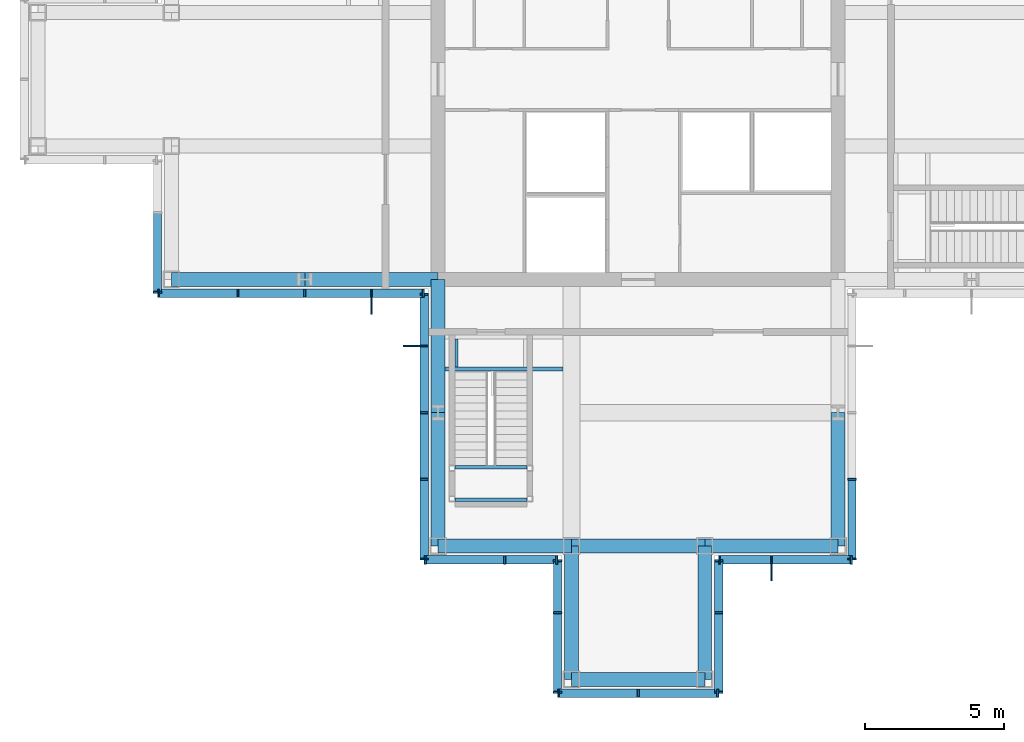
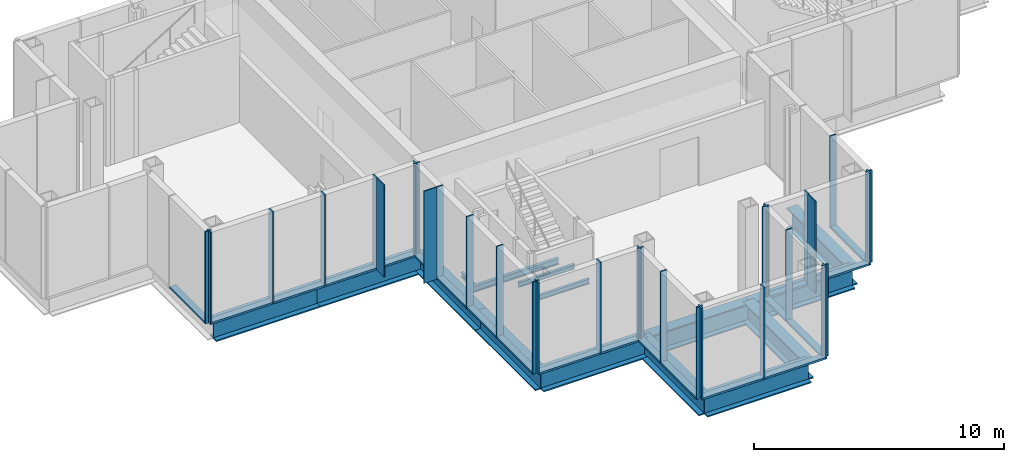
# One storey, part 5 of 12: 51 members, 15 beams, 9 elements without a shape of their own.
"""IFC4 building model written with IfcOpenShell, lengths in metres."""

from ifc_helpers import new_model, si_unit, direction, frame, origin, origin_2d, place, context, subcontext, project, spatial, rectangle, i_section, extrude, material, material_profile, profile_set, type_object, element, aggregate, save


model = new_model("IFC4")

# Units and contexts
model_context = context("Model", 3, precision=1e-05, world=origin(), true_north=direction((0.0, 1.0)))
body_context = subcontext(model_context, "Body", "Model", "MODEL_VIEW")
ifc_project = project(units=[si_unit("LENGTHUNIT", "METRE"), si_unit("AREAUNIT", "SQUARE_METRE"), si_unit("VOLUMEUNIT", "CUBIC_METRE"), si_unit("PLANEANGLEUNIT", "RADIAN"), si_unit("MASSUNIT", "GRAM", prefix="KILO")], contexts=[model_context])

# Site, building, storey
site_placement = place(None, origin())
site = spatial("IfcSite", under=ifc_project, at=site_placement, CompositionType="ELEMENT")
building_placement = place(site_placement, origin())
building = spatial("IfcBuilding", under=site, at=building_placement, Name="Kvirike Care Tower", CompositionType="ELEMENT")
storey_placement = place(building_placement, frame((0.0, 0.0, 243.5)))
storey = spatial("IfcBuildingStorey", under=building, at=storey_placement, Name="L67", CompositionType="ELEMENT", Elevation=243.5)

# Curtain wall, member
ifc_material_1 = material(Name="Anodised aluminium stick system", Category="aluminium")
curtain_wall_type = type_object("IfcCurtainWallType", Name="CW-L LOUVRED PLANT SCREEN", PredefinedType="NOTDEFINED", material=ifc_material_1)
curtain_wall_1_placement = place(storey_placement, origin())
curtain_wall_1 = element("IfcCurtainWall", 1, at=curtain_wall_1_placement, inside=storey, type_object=curtain_wall_type, Name="Curtain wall L67 face 13", PredefinedType="NOTDEFINED")
ifc_material_2 = material(Name="Bronze anodised aluminium fin", Category="aluminium")
ifc_material_profile_1 = material_profile(ifc_material_2, rectangle(XDim=0.050048828125, YDim=0.60009765625, at=origin_2d()), Name="BRONZE FIN 600")
ifc_profile_set_1 = profile_set([ifc_material_profile_1], Name="Bronze anodised aluminium fin")
member_type_1 = type_object("IfcMemberType", Name="BRONZE FIN 600", PredefinedType="USERDEFINED", material=ifc_profile_set_1)
member_1_placement = place(storey_placement, frame((12.0, 27.85009765625, 0.0), z_axis=(0.0, 0.0, 1.0), x_axis=(1.0, 0.0, 0.0)))
member_1 = element("IfcMember", 2, at=member_1_placement, type_object=member_type_1, Name="Bronze fin L67 face 13.4", ObjectType="FIN", PredefinedType="USERDEFINED", context=body_context, shape_type="SweptSolid", body=[
    extrude(rectangle(XDim=0.050048828125, YDim=0.60009765625, at=origin_2d()), origin(), (0.0, 0.0, 1.0), 4.5),
])

curtain_wall_2_placement = place(storey_placement, origin())
curtain_wall_2 = element("IfcCurtainWall", 3, at=curtain_wall_2_placement, inside=storey, type_object=curtain_wall_type, Name="Curtain wall L67 face 14", PredefinedType="NOTDEFINED")
member_2_placement = place(storey_placement, frame((13.449951171875, 26.39990234375, 0.0), z_axis=(0.0, 0.0, 1.0), x_axis=(0.0, -1.0, 0.0)))
member_2 = element("IfcMember", 4, at=member_2_placement, type_object=member_type_1, Name="Bronze fin L67 face 14.2", ObjectType="FIN", PredefinedType="USERDEFINED", context=body_context, shape_type="SweptSolid", body=[
    extrude(rectangle(XDim=0.050048828125, YDim=0.60009765625, at=origin_2d()), origin(), (0.0, 0.0, 1.0), 4.5),
])

curtain_wall_3_placement = place(storey_placement, origin())
curtain_wall_3 = element("IfcCurtainWall", 5, at=curtain_wall_3_placement, inside=storey, type_object=curtain_wall_type, Name="Curtain wall L67 face 19", PredefinedType="NOTDEFINED")
member_3_placement = place(storey_placement, frame((26.39990234375, 18.25, 0.0), z_axis=(0.0, 0.0, 1.0), x_axis=(1.0, 0.0, 0.0)))
member_3 = element("IfcMember", 6, at=member_3_placement, type_object=member_type_1, Name="Bronze fin L67 face 19.2", ObjectType="FIN", PredefinedType="USERDEFINED", context=body_context, shape_type="SweptSolid", body=[
    extrude(rectangle(XDim=0.050048828125, YDim=0.60009765625, at=origin_2d()), origin(), (0.0, 0.0, 1.0), 4.5),
])

curtain_wall_4_placement = place(storey_placement, origin())
curtain_wall_4 = element("IfcCurtainWall", 7, at=curtain_wall_4_placement, inside=storey, type_object=curtain_wall_type, Name="Curtain wall L67 face 12", PredefinedType="NOTDEFINED")
ifc_material_3 = material(Name="Bronze anodised aluminium mullion", Category="aluminium")
ifc_material_profile_2 = material_profile(ifc_material_3, rectangle(XDim=0.06494140625, YDim=0.300048828125, at=origin_2d()), Name="CW-L MULLION 65x300")
ifc_profile_set_2 = profile_set([ifc_material_profile_2], Name="Bronze anodised aluminium mullion")
member_type_2 = type_object("IfcMemberType", Name="CW-L MULLION 65x300", PredefinedType="MULLION", material=ifc_profile_set_2)
member_4_placement = place(storey_placement, frame((4.300048828125, 28.33251953125, 0.0), z_axis=(0.0, 0.0, 1.0), x_axis=(0.0, -1.0, 0.0)))
member_4 = element("IfcMember", 8, at=member_4_placement, type_object=member_type_2, Name="CW-L mullion L67 face 12.3", PredefinedType="MULLION", context=body_context, shape_type="SweptSolid", body=[
    extrude(rectangle(XDim=0.06494140625, YDim=0.300048828125, at=origin_2d()), origin(), (0.0, 0.0, 1.0), 4.5),
])

# Member
member_5_placement = place(storey_placement, frame((4.33251953125, 28.300048828125, 0.0), z_axis=(0.0, 0.0, 1.0), x_axis=(1.0, 0.0, 0.0)))
member_5 = element("IfcMember", 9, at=member_5_placement, type_object=member_type_2, Name="CW-L mullion L67 face 13.1", PredefinedType="MULLION", context=body_context, shape_type="SweptSolid", body=[
    extrude(rectangle(XDim=0.06494140625, YDim=0.300048828125, at=origin_2d()), origin(), (0.0, 0.0, 1.0), 4.5),
])

member_6_placement = place(storey_placement, frame((7.199951171875, 28.300048828125, 0.0), z_axis=(0.0, 0.0, 1.0), x_axis=(1.0, 0.0, 0.0)))
member_6 = element("IfcMember", 10, at=member_6_placement, type_object=member_type_2, Name="CW-L mullion L67 face 13.2", PredefinedType="MULLION", context=body_context, shape_type="SweptSolid", body=[
    extrude(rectangle(XDim=0.06494140625, YDim=0.300048828125, at=origin_2d()), origin(), (0.0, 0.0, 1.0), 4.5),
])

member_7_placement = place(storey_placement, frame((9.60009765625, 28.300048828125, 0.0), z_axis=(0.0, 0.0, 1.0), x_axis=(1.0, 0.0, 0.0)))
member_7 = element("IfcMember", 11, at=member_7_placement, type_object=member_type_2, Name="CW-L mullion L67 face 13.3", PredefinedType="MULLION", context=body_context, shape_type="SweptSolid", body=[
    extrude(rectangle(XDim=0.06494140625, YDim=0.300048828125, at=origin_2d()), origin(), (0.0, 0.0, 1.0), 4.5),
])

member_8_placement = place(storey_placement, frame((12.0, 28.300048828125, 0.0), z_axis=(0.0, 0.0, 1.0), x_axis=(1.0, 0.0, 0.0)))
member_8 = element("IfcMember", 12, at=member_8_placement, type_object=member_type_2, Name="CW-L mullion L67 face 13.4", PredefinedType="MULLION", context=body_context, shape_type="SweptSolid", body=[
    extrude(rectangle(XDim=0.06494140625, YDim=0.300048828125, at=origin_2d()), origin(), (0.0, 0.0, 1.0), 4.5),
])

member_9_placement = place(storey_placement, frame((13.867431640625, 28.300048828125, 0.0), z_axis=(0.0, 0.0, 1.0), x_axis=(1.0, 0.0, 0.0)))
member_9 = element("IfcMember", 13, at=member_9_placement, type_object=member_type_2, Name="CW-L mullion L67 face 13.5", PredefinedType="MULLION", context=body_context, shape_type="SweptSolid", body=[
    extrude(rectangle(XDim=0.06494140625, YDim=0.300048828125, at=origin_2d()), origin(), (0.0, 0.0, 1.0), 4.5),
])

member_10_placement = place(storey_placement, frame((13.89990234375, 28.267578125, 0.0), z_axis=(0.0, 0.0, 1.0), x_axis=(0.0, -1.0, 0.0)))
member_10 = element("IfcMember", 14, at=member_10_placement, type_object=member_type_2, Name="CW-L mullion L67 face 14.1", PredefinedType="MULLION", context=body_context, shape_type="SweptSolid", body=[
    extrude(rectangle(XDim=0.06494140625, YDim=0.300048828125, at=origin_2d()), origin(), (0.0, 0.0, 1.0), 4.5),
])

member_11_placement = place(storey_placement, frame((13.89990234375, 26.39990234375, 0.0), z_axis=(0.0, 0.0, 1.0), x_axis=(0.0, -1.0, 0.0)))
member_11 = element("IfcMember", 15, at=member_11_placement, type_object=member_type_2, Name="CW-L mullion L67 face 14.2", PredefinedType="MULLION", context=body_context, shape_type="SweptSolid", body=[
    extrude(rectangle(XDim=0.06494140625, YDim=0.300048828125, at=origin_2d()), origin(), (0.0, 0.0, 1.0), 4.5),
])

member_12_placement = place(storey_placement, frame((13.89990234375, 24.0, 0.0), z_axis=(0.0, 0.0, 1.0), x_axis=(0.0, -1.0, 0.0)))
member_12 = element("IfcMember", 16, at=member_12_placement, type_object=member_type_2, Name="CW-L mullion L67 face 14.3", PredefinedType="MULLION", context=body_context, shape_type="SweptSolid", body=[
    extrude(rectangle(XDim=0.06494140625, YDim=0.300048828125, at=origin_2d()), origin(), (0.0, 0.0, 1.0), 4.5),
])

member_13_placement = place(storey_placement, frame((13.89990234375, 21.60009765625, 0.0), z_axis=(0.0, 0.0, 1.0), x_axis=(0.0, -1.0, 0.0)))
member_13 = element("IfcMember", 17, at=member_13_placement, type_object=member_type_2, Name="CW-L mullion L67 face 14.4", PredefinedType="MULLION", context=body_context, shape_type="SweptSolid", body=[
    extrude(rectangle(XDim=0.06494140625, YDim=0.300048828125, at=origin_2d()), origin(), (0.0, 0.0, 1.0), 4.5),
])

member_14_placement = place(storey_placement, frame((13.89990234375, 18.732421875, 0.0), z_axis=(0.0, 0.0, 1.0), x_axis=(0.0, -1.0, 0.0)))
member_14 = element("IfcMember", 18, at=member_14_placement, type_object=member_type_2, Name="CW-L mullion L67 face 14.5", PredefinedType="MULLION", context=body_context, shape_type="SweptSolid", body=[
    extrude(rectangle(XDim=0.06494140625, YDim=0.300048828125, at=origin_2d()), origin(), (0.0, 0.0, 1.0), 4.5),
])

# Curtain wall, members
curtain_wall_5_placement = place(storey_placement, origin())
curtain_wall_5 = element("IfcCurtainWall", 19, at=curtain_wall_5_placement, inside=storey, type_object=curtain_wall_type, Name="Curtain wall L67 face 15", PredefinedType="NOTDEFINED")
member_15_placement = place(storey_placement, frame((13.9326171875, 18.699951171875, 0.0), z_axis=(0.0, 0.0, 1.0), x_axis=(1.0, 0.0, 0.0)))
member_15 = element("IfcMember", 20, at=member_15_placement, type_object=member_type_2, Name="CW-L mullion L67 face 15.1", PredefinedType="MULLION", context=body_context, shape_type="SweptSolid", body=[
    extrude(rectangle(XDim=0.06494140625, YDim=0.300048828125, at=origin_2d()), origin(), (0.0, 0.0, 1.0), 4.5),
])
member_16_placement = place(storey_placement, frame((16.800048828125, 18.699951171875, 0.0), z_axis=(0.0, 0.0, 1.0), x_axis=(1.0, 0.0, 0.0)))
member_16 = element("IfcMember", 21, at=member_16_placement, type_object=member_type_2, Name="CW-L mullion L67 face 15.2", PredefinedType="MULLION", context=body_context, shape_type="SweptSolid", body=[
    extrude(rectangle(XDim=0.06494140625, YDim=0.300048828125, at=origin_2d()), origin(), (0.0, 0.0, 1.0), 4.5),
])
member_17_placement = place(storey_placement, frame((18.66748046875, 18.699951171875, 0.0), z_axis=(0.0, 0.0, 1.0), x_axis=(1.0, 0.0, 0.0)))
member_17 = element("IfcMember", 22, at=member_17_placement, type_object=member_type_2, Name="CW-L mullion L67 face 15.3", PredefinedType="MULLION", context=body_context, shape_type="SweptSolid", body=[
    extrude(rectangle(XDim=0.06494140625, YDim=0.300048828125, at=origin_2d()), origin(), (0.0, 0.0, 1.0), 4.5),
])

curtain_wall_6_placement = place(storey_placement, origin())
curtain_wall_6 = element("IfcCurtainWall", 23, at=curtain_wall_6_placement, inside=storey, type_object=curtain_wall_type, Name="Curtain wall L67 face 16", PredefinedType="NOTDEFINED")
member_18_placement = place(storey_placement, frame((18.699951171875, 18.66748046875, 0.0), z_axis=(0.0, 0.0, 1.0), x_axis=(0.0, -1.0, 0.0)))
member_18 = element("IfcMember", 24, at=member_18_placement, type_object=member_type_2, Name="CW-L mullion L67 face 16.1", PredefinedType="MULLION", context=body_context, shape_type="SweptSolid", body=[
    extrude(rectangle(XDim=0.06494140625, YDim=0.300048828125, at=origin_2d()), origin(), (0.0, 0.0, 1.0), 4.5),
])
member_19_placement = place(storey_placement, frame((18.699951171875, 16.800048828125, 0.0), z_axis=(0.0, 0.0, 1.0), x_axis=(0.0, -1.0, 0.0)))
member_19 = element("IfcMember", 25, at=member_19_placement, type_object=member_type_2, Name="CW-L mullion L67 face 16.2", PredefinedType="MULLION", context=body_context, shape_type="SweptSolid", body=[
    extrude(rectangle(XDim=0.06494140625, YDim=0.300048828125, at=origin_2d()), origin(), (0.0, 0.0, 1.0), 4.5),
])
member_20_placement = place(storey_placement, frame((18.699951171875, 13.9326171875, 0.0), z_axis=(0.0, 0.0, 1.0), x_axis=(0.0, -1.0, 0.0)))
member_20 = element("IfcMember", 26, at=member_20_placement, type_object=member_type_2, Name="CW-L mullion L67 face 16.3", PredefinedType="MULLION", context=body_context, shape_type="SweptSolid", body=[
    extrude(rectangle(XDim=0.06494140625, YDim=0.300048828125, at=origin_2d()), origin(), (0.0, 0.0, 1.0), 4.5),
])

curtain_wall_7_placement = place(storey_placement, origin())
curtain_wall_7 = element("IfcCurtainWall", 27, at=curtain_wall_7_placement, inside=storey, type_object=curtain_wall_type, Name="Curtain wall L67 face 17", PredefinedType="NOTDEFINED")
member_21_placement = place(storey_placement, frame((18.732421875, 13.89990234375, 0.0), z_axis=(0.0, 0.0, 1.0), x_axis=(1.0, 0.0, 0.0)))
member_21 = element("IfcMember", 28, at=member_21_placement, type_object=member_type_2, Name="CW-L mullion L67 face 17.1", PredefinedType="MULLION", context=body_context, shape_type="SweptSolid", body=[
    extrude(rectangle(XDim=0.06494140625, YDim=0.300048828125, at=origin_2d()), origin(), (0.0, 0.0, 1.0), 4.5),
])
member_22_placement = place(storey_placement, frame((21.60009765625, 13.89990234375, 0.0), z_axis=(0.0, 0.0, 1.0), x_axis=(1.0, 0.0, 0.0)))
member_22 = element("IfcMember", 29, at=member_22_placement, type_object=member_type_2, Name="CW-L mullion L67 face 17.2", PredefinedType="MULLION", context=body_context, shape_type="SweptSolid", body=[
    extrude(rectangle(XDim=0.06494140625, YDim=0.300048828125, at=origin_2d()), origin(), (0.0, 0.0, 1.0), 4.5),
])
member_23_placement = place(storey_placement, frame((24.467529296875, 13.89990234375, 0.0), z_axis=(0.0, 0.0, 1.0), x_axis=(1.0, 0.0, 0.0)))
member_23 = element("IfcMember", 30, at=member_23_placement, type_object=member_type_2, Name="CW-L mullion L67 face 17.3", PredefinedType="MULLION", context=body_context, shape_type="SweptSolid", body=[
    extrude(rectangle(XDim=0.06494140625, YDim=0.300048828125, at=origin_2d()), origin(), (0.0, 0.0, 1.0), 4.5),
])

curtain_wall_8_placement = place(storey_placement, origin())
curtain_wall_8 = element("IfcCurtainWall", 31, at=curtain_wall_8_placement, inside=storey, type_object=curtain_wall_type, Name="Curtain wall L67 face 18", PredefinedType="NOTDEFINED")
member_24_placement = place(storey_placement, frame((24.5, 13.9326171875, 0.0), z_axis=(0.0, 0.0, 1.0), x_axis=(0.0, 1.0, 0.0)))
member_24 = element("IfcMember", 32, at=member_24_placement, type_object=member_type_2, Name="CW-L mullion L67 face 18.1", PredefinedType="MULLION", context=body_context, shape_type="SweptSolid", body=[
    extrude(rectangle(XDim=0.06494140625, YDim=0.300048828125, at=origin_2d()), origin(), (0.0, 0.0, 1.0), 4.5),
])
member_25_placement = place(storey_placement, frame((24.5, 16.800048828125, 0.0), z_axis=(0.0, 0.0, 1.0), x_axis=(0.0, 1.0, 0.0)))
member_25 = element("IfcMember", 33, at=member_25_placement, type_object=member_type_2, Name="CW-L mullion L67 face 18.2", PredefinedType="MULLION", context=body_context, shape_type="SweptSolid", body=[
    extrude(rectangle(XDim=0.06494140625, YDim=0.300048828125, at=origin_2d()), origin(), (0.0, 0.0, 1.0), 4.5),
])
member_26_placement = place(storey_placement, frame((24.5, 18.66748046875, 0.0), z_axis=(0.0, 0.0, 1.0), x_axis=(0.0, 1.0, 0.0)))
member_26 = element("IfcMember", 34, at=member_26_placement, type_object=member_type_2, Name="CW-L mullion L67 face 18.3", PredefinedType="MULLION", context=body_context, shape_type="SweptSolid", body=[
    extrude(rectangle(XDim=0.06494140625, YDim=0.300048828125, at=origin_2d()), origin(), (0.0, 0.0, 1.0), 4.5),
])

# Member
member_27_placement = place(storey_placement, frame((24.532470703125, 18.699951171875, 0.0), z_axis=(0.0, 0.0, 1.0), x_axis=(1.0, 0.0, 0.0)))
member_27 = element("IfcMember", 35, at=member_27_placement, type_object=member_type_2, Name="CW-L mullion L67 face 19.1", PredefinedType="MULLION", context=body_context, shape_type="SweptSolid", body=[
    extrude(rectangle(XDim=0.06494140625, YDim=0.300048828125, at=origin_2d()), origin(), (0.0, 0.0, 1.0), 4.5),
])

member_28_placement = place(storey_placement, frame((26.39990234375, 18.699951171875, 0.0), z_axis=(0.0, 0.0, 1.0), x_axis=(1.0, 0.0, 0.0)))
member_28 = element("IfcMember", 36, at=member_28_placement, type_object=member_type_2, Name="CW-L mullion L67 face 19.2", PredefinedType="MULLION", context=body_context, shape_type="SweptSolid", body=[
    extrude(rectangle(XDim=0.06494140625, YDim=0.300048828125, at=origin_2d()), origin(), (0.0, 0.0, 1.0), 4.5),
])

member_29_placement = place(storey_placement, frame((29.267578125, 18.699951171875, 0.0), z_axis=(0.0, 0.0, 1.0), x_axis=(1.0, 0.0, 0.0)))
member_29 = element("IfcMember", 37, at=member_29_placement, type_object=member_type_2, Name="CW-L mullion L67 face 19.3", PredefinedType="MULLION", context=body_context, shape_type="SweptSolid", body=[
    extrude(rectangle(XDim=0.06494140625, YDim=0.300048828125, at=origin_2d()), origin(), (0.0, 0.0, 1.0), 4.5),
])

# Curtain wall, members
curtain_wall_9_placement = place(storey_placement, origin())
curtain_wall_9 = element("IfcCurtainWall", 38, at=curtain_wall_9_placement, inside=storey, type_object=curtain_wall_type, Name="Curtain wall L67 face 20", PredefinedType="NOTDEFINED")
member_30_placement = place(storey_placement, frame((29.300048828125, 18.732421875, 0.0), z_axis=(0.0, 0.0, 1.0), x_axis=(0.0, 1.0, 0.0)))
member_30 = element("IfcMember", 39, at=member_30_placement, type_object=member_type_2, Name="CW-L mullion L67 face 20.1", PredefinedType="MULLION", context=body_context, shape_type="SweptSolid", body=[
    extrude(rectangle(XDim=0.06494140625, YDim=0.300048828125, at=origin_2d()), origin(), (0.0, 0.0, 1.0), 4.5),
])
member_31_placement = place(storey_placement, frame((29.300048828125, 21.60009765625, 0.0), z_axis=(0.0, 0.0, 1.0), x_axis=(0.0, 1.0, 0.0)))
member_31 = element("IfcMember", 40, at=member_31_placement, type_object=member_type_2, Name="CW-L mullion L67 face 20.2", PredefinedType="MULLION", context=body_context, shape_type="SweptSolid", body=[
    extrude(rectangle(XDim=0.06494140625, YDim=0.300048828125, at=origin_2d()), origin(), (0.0, 0.0, 1.0), 4.5),
])

# Member
ifc_material_4 = material(Name="Bronze anodised aluminium transom", Category="aluminium")
ifc_material_profile_3 = material_profile(ifc_material_4, rectangle(XDim=0.300048828125, YDim=0.10009765625, at=origin_2d()), Name="CW-L TRANSOM 300x100")
ifc_profile_set_3 = profile_set([ifc_material_profile_3], Name="Bronze anodised aluminium transom")
member_type_3 = type_object("IfcMemberType", Name="CW-L TRANSOM 300x100", PredefinedType="USERDEFINED", material=ifc_profile_set_3)
member_32_placement = place(storey_placement, frame((4.300048828125, 31.16748046875, 0.050048828125), z_axis=(0.0, -1.0, 0.0), x_axis=(1.0, 0.0, 0.0)))
member_32 = element("IfcMember", 41, at=member_32_placement, type_object=member_type_3, Name="CW-L sill transom L67 face 12.2", ObjectType="TRANSOM", PredefinedType="USERDEFINED", context=body_context, shape_type="SweptSolid", body=[
    extrude(rectangle(XDim=0.300048828125, YDim=0.10009765625, at=origin_2d()), origin(), (0.0, 0.0, 1.0), 2.802490234375),
])

aggregate(curtain_wall_4, [member_4, member_32])

member_33_placement = place(storey_placement, frame((4.364990234375, 28.300048828125, 0.050048828125), z_axis=(1.0, 0.0, 0.0), x_axis=(0.0, 1.0, 0.0)))
member_33 = element("IfcMember", 42, at=member_33_placement, type_object=member_type_3, Name="CW-L sill transom L67 face 13.1", ObjectType="TRANSOM", PredefinedType="USERDEFINED", context=body_context, shape_type="SweptSolid", body=[
    extrude(rectangle(XDim=0.300048828125, YDim=0.10009765625, at=origin_2d()), origin(), (0.0, 0.0, 1.0), 2.802490234375),
])

member_34_placement = place(storey_placement, frame((7.232421875, 28.300048828125, 0.050048828125), z_axis=(1.0, 0.0, 0.0), x_axis=(0.0, 1.0, 0.0)))
member_34 = element("IfcMember", 43, at=member_34_placement, type_object=member_type_3, Name="CW-L sill transom L67 face 13.2", ObjectType="TRANSOM", PredefinedType="USERDEFINED", context=body_context, shape_type="SweptSolid", body=[
    extrude(rectangle(XDim=0.300048828125, YDim=0.10009765625, at=origin_2d()), origin(), (0.0, 0.0, 1.0), 2.3349609375),
])

member_35_placement = place(storey_placement, frame((9.632568359375, 28.300048828125, 0.050048828125), z_axis=(1.0, 0.0, 0.0), x_axis=(0.0, 1.0, 0.0)))
member_35 = element("IfcMember", 44, at=member_35_placement, type_object=member_type_3, Name="CW-L sill transom L67 face 13.3", ObjectType="TRANSOM", PredefinedType="USERDEFINED", context=body_context, shape_type="SweptSolid", body=[
    extrude(rectangle(XDim=0.300048828125, YDim=0.10009765625, at=origin_2d()), origin(), (0.0, 0.0, 1.0), 2.3349609375),
])

member_36_placement = place(storey_placement, frame((12.032470703125, 28.300048828125, 0.050048828125), z_axis=(1.0, 0.0, 0.0), x_axis=(0.0, 1.0, 0.0)))
member_36 = element("IfcMember", 45, at=member_36_placement, type_object=member_type_3, Name="CW-L sill transom L67 face 13.4", ObjectType="TRANSOM", PredefinedType="USERDEFINED", context=body_context, shape_type="SweptSolid", body=[
    extrude(rectangle(XDim=0.300048828125, YDim=0.10009765625, at=origin_2d()), origin(), (0.0, 0.0, 1.0), 1.802490234375),
])

aggregate(curtain_wall_1, [member_5, member_6, member_7, member_8, member_1, member_9, member_33, member_34, member_35, member_36])

member_37_placement = place(storey_placement, frame((13.89990234375, 28.235107421875, 0.050048828125), z_axis=(0.0, -1.0, 0.0), x_axis=(1.0, 0.0, 0.0)))
member_37 = element("IfcMember", 46, at=member_37_placement, type_object=member_type_3, Name="CW-L sill transom L67 face 14.1", ObjectType="TRANSOM", PredefinedType="USERDEFINED", context=body_context, shape_type="SweptSolid", body=[
    extrude(rectangle(XDim=0.300048828125, YDim=0.10009765625, at=origin_2d()), origin(), (0.0, 0.0, 1.0), 1.802490234375),
])

member_38_placement = place(storey_placement, frame((13.89990234375, 26.367431640625, 0.050048828125), z_axis=(0.0, -1.0, 0.0), x_axis=(1.0, 0.0, 0.0)))
member_38 = element("IfcMember", 47, at=member_38_placement, type_object=member_type_3, Name="CW-L sill transom L67 face 14.2", ObjectType="TRANSOM", PredefinedType="USERDEFINED", context=body_context, shape_type="SweptSolid", body=[
    extrude(rectangle(XDim=0.300048828125, YDim=0.10009765625, at=origin_2d()), origin(), (0.0, 0.0, 1.0), 2.3349609375),
])

member_39_placement = place(storey_placement, frame((13.89990234375, 23.967529296875, 0.050048828125), z_axis=(0.0, -1.0, 0.0), x_axis=(1.0, 0.0, 0.0)))
member_39 = element("IfcMember", 48, at=member_39_placement, type_object=member_type_3, Name="CW-L sill transom L67 face 14.3", ObjectType="TRANSOM", PredefinedType="USERDEFINED", context=body_context, shape_type="SweptSolid", body=[
    extrude(rectangle(XDim=0.300048828125, YDim=0.10009765625, at=origin_2d()), origin(), (0.0, 0.0, 1.0), 2.3349609375),
])

member_40_placement = place(storey_placement, frame((13.89990234375, 21.5673828125, 0.050048828125), z_axis=(0.0, -1.0, 0.0), x_axis=(1.0, 0.0, 0.0)))
member_40 = element("IfcMember", 49, at=member_40_placement, type_object=member_type_3, Name="CW-L sill transom L67 face 14.4", ObjectType="TRANSOM", PredefinedType="USERDEFINED", context=body_context, shape_type="SweptSolid", body=[
    extrude(rectangle(XDim=0.300048828125, YDim=0.10009765625, at=origin_2d()), origin(), (0.0, 0.0, 1.0), 2.802490234375),
])

aggregate(curtain_wall_2, [member_10, member_11, member_2, member_12, member_13, member_14, member_37, member_38, member_39, member_40])

member_41_placement = place(storey_placement, frame((13.965087890625, 18.699951171875, 0.050048828125), z_axis=(1.0, 0.0, 0.0), x_axis=(0.0, 1.0, 0.0)))
member_41 = element("IfcMember", 50, at=member_41_placement, type_object=member_type_3, Name="CW-L sill transom L67 face 15.1", ObjectType="TRANSOM", PredefinedType="USERDEFINED", context=body_context, shape_type="SweptSolid", body=[
    extrude(rectangle(XDim=0.300048828125, YDim=0.10009765625, at=origin_2d()), origin(), (0.0, 0.0, 1.0), 2.802490234375),
])

member_42_placement = place(storey_placement, frame((16.83251953125, 18.699951171875, 0.050048828125), z_axis=(1.0, 0.0, 0.0), x_axis=(0.0, 1.0, 0.0)))
member_42 = element("IfcMember", 51, at=member_42_placement, type_object=member_type_3, Name="CW-L sill transom L67 face 15.2", ObjectType="TRANSOM", PredefinedType="USERDEFINED", context=body_context, shape_type="SweptSolid", body=[
    extrude(rectangle(XDim=0.300048828125, YDim=0.10009765625, at=origin_2d()), origin(), (0.0, 0.0, 1.0), 1.802490234375),
])

aggregate(curtain_wall_5, [member_15, member_16, member_17, member_41, member_42])

member_43_placement = place(storey_placement, frame((18.699951171875, 18.635009765625, 0.050048828125), z_axis=(0.0, -1.0, 0.0), x_axis=(1.0, 0.0, 0.0)))
member_43 = element("IfcMember", 52, at=member_43_placement, type_object=member_type_3, Name="CW-L sill transom L67 face 16.1", ObjectType="TRANSOM", PredefinedType="USERDEFINED", context=body_context, shape_type="SweptSolid", body=[
    extrude(rectangle(XDim=0.300048828125, YDim=0.10009765625, at=origin_2d()), origin(), (0.0, 0.0, 1.0), 1.802490234375),
])

member_44_placement = place(storey_placement, frame((18.699951171875, 16.767578125, 0.050048828125), z_axis=(0.0, -1.0, 0.0), x_axis=(1.0, 0.0, 0.0)))
member_44 = element("IfcMember", 53, at=member_44_placement, type_object=member_type_3, Name="CW-L sill transom L67 face 16.2", ObjectType="TRANSOM", PredefinedType="USERDEFINED", context=body_context, shape_type="SweptSolid", body=[
    extrude(rectangle(XDim=0.300048828125, YDim=0.10009765625, at=origin_2d()), origin(), (0.0, 0.0, 1.0), 2.802490234375),
])

aggregate(curtain_wall_6, [member_18, member_19, member_20, member_43, member_44])

member_45_placement = place(storey_placement, frame((18.764892578125, 13.89990234375, 0.050048828125), z_axis=(1.0, 0.0, 0.0), x_axis=(0.0, 1.0, 0.0)))
member_45 = element("IfcMember", 54, at=member_45_placement, type_object=member_type_3, Name="CW-L sill transom L67 face 17.1", ObjectType="TRANSOM", PredefinedType="USERDEFINED", context=body_context, shape_type="SweptSolid", body=[
    extrude(rectangle(XDim=0.300048828125, YDim=0.10009765625, at=origin_2d()), origin(), (0.0, 0.0, 1.0), 2.802490234375),
])

member_46_placement = place(storey_placement, frame((21.632568359375, 13.89990234375, 0.050048828125), z_axis=(1.0, 0.0, 0.0), x_axis=(0.0, 1.0, 0.0)))
member_46 = element("IfcMember", 55, at=member_46_placement, type_object=member_type_3, Name="CW-L sill transom L67 face 17.2", ObjectType="TRANSOM", PredefinedType="USERDEFINED", context=body_context, shape_type="SweptSolid", body=[
    extrude(rectangle(XDim=0.300048828125, YDim=0.10009765625, at=origin_2d()), origin(), (0.0, 0.0, 1.0), 2.802490234375),
])

aggregate(curtain_wall_7, [member_21, member_22, member_23, member_45, member_46])

member_47_placement = place(storey_placement, frame((24.5, 13.965087890625, 0.050048828125), z_axis=(0.0, 1.0, 0.0), x_axis=(-1.0, 0.0, 0.0)))
member_47 = element("IfcMember", 56, at=member_47_placement, type_object=member_type_3, Name="CW-L sill transom L67 face 18.1", ObjectType="TRANSOM", PredefinedType="USERDEFINED", context=body_context, shape_type="SweptSolid", body=[
    extrude(rectangle(XDim=0.300048828125, YDim=0.10009765625, at=origin_2d()), origin(), (0.0, 0.0, 1.0), 2.802490234375),
])

member_48_placement = place(storey_placement, frame((24.5, 16.83251953125, 0.050048828125), z_axis=(0.0, 1.0, 0.0), x_axis=(-1.0, 0.0, 0.0)))
member_48 = element("IfcMember", 57, at=member_48_placement, type_object=member_type_3, Name="CW-L sill transom L67 face 18.2", ObjectType="TRANSOM", PredefinedType="USERDEFINED", context=body_context, shape_type="SweptSolid", body=[
    extrude(rectangle(XDim=0.300048828125, YDim=0.10009765625, at=origin_2d()), origin(), (0.0, 0.0, 1.0), 1.802490234375),
])

aggregate(curtain_wall_8, [member_24, member_25, member_26, member_47, member_48])

member_49_placement = place(storey_placement, frame((24.56494140625, 18.699951171875, 0.050048828125), z_axis=(1.0, 0.0, 0.0), x_axis=(0.0, 1.0, 0.0)))
member_49 = element("IfcMember", 58, at=member_49_placement, type_object=member_type_3, Name="CW-L sill transom L67 face 19.1", ObjectType="TRANSOM", PredefinedType="USERDEFINED", context=body_context, shape_type="SweptSolid", body=[
    extrude(rectangle(XDim=0.300048828125, YDim=0.10009765625, at=origin_2d()), origin(), (0.0, 0.0, 1.0), 1.802490234375),
])

member_50_placement = place(storey_placement, frame((26.4326171875, 18.699951171875, 0.050048828125), z_axis=(1.0, 0.0, 0.0), x_axis=(0.0, 1.0, 0.0)))
member_50 = element("IfcMember", 59, at=member_50_placement, type_object=member_type_3, Name="CW-L sill transom L67 face 19.2", ObjectType="TRANSOM", PredefinedType="USERDEFINED", context=body_context, shape_type="SweptSolid", body=[
    extrude(rectangle(XDim=0.300048828125, YDim=0.10009765625, at=origin_2d()), origin(), (0.0, 0.0, 1.0), 2.802490234375),
])

aggregate(curtain_wall_3, [member_27, member_28, member_3, member_29, member_49, member_50])

member_51_placement = place(storey_placement, frame((29.300048828125, 18.764892578125, 0.050048828125), z_axis=(0.0, 1.0, 0.0), x_axis=(-1.0, 0.0, 0.0)))
member_51 = element("IfcMember", 60, at=member_51_placement, type_object=member_type_3, Name="CW-L sill transom L67 face 20.1", ObjectType="TRANSOM", PredefinedType="USERDEFINED", context=body_context, shape_type="SweptSolid", body=[
    extrude(rectangle(XDim=0.300048828125, YDim=0.10009765625, at=origin_2d()), origin(), (0.0, 0.0, 1.0), 2.802490234375),
])

aggregate(curtain_wall_9, [member_30, member_31, member_51])

# Beams
ifc_material_5 = material(Name="Steel S355", Category="steel")
ifc_material_profile_4 = material_profile(ifc_material_5, i_section(OverallWidth=0.5, OverallDepth=1.0, WebThickness=0.030029296875, FlangeThickness=0.06005859375, at=origin_2d()), Name="PG 1000x500x30x60")
ifc_profile_set_4 = profile_set([ifc_material_profile_4], Name="Steel S355")
beam_type_1 = type_object("IfcBeamType", Name="PLANT FLOOR GIRDER PG 1000x500x30x60", PredefinedType="BEAM", material=ifc_profile_set_4)
beam_1_placement = place(storey_placement, frame((19.199951171875, 19.199951171875, -0.75), z_axis=(1.0, 0.0, 0.0), x_axis=(0.0, 1.0, 0.0)))
element("IfcBeam", 61, at=beam_1_placement, inside=storey, type_object=beam_type_1, Name="Plant Floor Girder E7-E8 L67", PredefinedType="BEAM", context=body_context, shape_type="SweptSolid", body=[
    extrude(i_section(OverallWidth=0.5, OverallDepth=1.0, WebThickness=0.030029296875, FlangeThickness=0.06005859375, at=origin_2d()), origin(), (0.0, 0.0, 1.0), 4.800048828125),
])
ifc_material_6 = material(Name="Steel S355", Category="steel")
ifc_material_profile_5 = material_profile(ifc_material_6, i_section(OverallWidth=0.5, OverallDepth=1.0, WebThickness=0.030029296875, FlangeThickness=0.06005859375, at=origin_2d()), Name="PG 1000x500x30x60")
ifc_profile_set_5 = profile_set([ifc_material_profile_5], Name="Steel S355")
beam_type_2 = type_object("IfcBeamType", Name="SPANDREL PG 1000x500x30x60", PredefinedType="SPANDREL", material=ifc_profile_set_5)
for number, where, z_axis, x_axis, name in (
    (62, (19.199951171875, 14.39990234375, -0.75), (1.0, 0.0, 0.0), (0.0, 1.0, 0.0), "Spandrel D7-D8 L67"),
    (63, (14.39990234375, 19.199951171875, -0.75), (1.0, 0.0, 0.0), (0.0, 1.0, 0.0), "Spandrel E6-E7 L67"),
    (64, (24.0, 19.199951171875, -0.75), (1.0, 0.0, 0.0), (0.0, 1.0, 0.0), "Spandrel E8-E9 L67"),
    (65, (4.800048828125, 28.800048828125, -0.75), (1.0, 0.0, 0.0), (0.0, 1.0, 0.0), "Spandrel G4-G5 L67"),
):
    element("IfcBeam", number, at=place(storey_placement, frame(where, z_axis=z_axis, x_axis=x_axis)), inside=storey, type_object=beam_type_2, Name=name, PredefinedType="SPANDREL", context=body_context, shape_type="SweptSolid", body=[
        extrude(i_section(OverallWidth=0.5, OverallDepth=1.0, WebThickness=0.030029296875, FlangeThickness=0.06005859375, at=origin_2d()), origin(), (0.0, 0.0, 1.0), 4.800048828125),
    ])
beam_2_placement = place(storey_placement, frame((9.60009765625, 28.800048828125, -0.75), z_axis=(1.0, 0.0, 0.0), x_axis=(0.0, 1.0, 0.0)))
element("IfcBeam", 66, at=beam_2_placement, inside=storey, type_object=beam_type_2, Name="Spandrel G5-G6 L67", PredefinedType="SPANDREL", context=body_context, shape_type="SweptSolid", body=[
    extrude(i_section(OverallWidth=0.5, OverallDepth=1.0, WebThickness=0.030029296875, FlangeThickness=0.06005859375, at=origin_2d()), origin(), (0.0, 0.0, 1.0), 4.7998046875),
])
for number, where, z_axis, x_axis, name in (
    (67, (14.39990234375, 19.199951171875, -0.75), (0.0, 1.0, 0.0), (-1.0, 0.0, 0.0), "Spandrel E6-F6 L67"),
    (68, (14.39990234375, 24.0, -0.75), (0.0, 1.0, 0.0), (-1.0, 0.0, 0.0), "Spandrel F6-G6 L67"),
    (69, (19.199951171875, 14.39990234375, -0.75), (0.0, 1.0, 0.0), (-1.0, 0.0, 0.0), "Spandrel D7-E7 L67"),
    (70, (24.0, 14.39990234375, -0.75), (0.0, 1.0, 0.0), (-1.0, 0.0, 0.0), "Spandrel D8-E8 L67"),
    (71, (28.800048828125, 19.199951171875, -0.75), (0.0, 1.0, 0.0), (-1.0, 0.0, 0.0), "Spandrel E9-F9 L67"),
):
    element("IfcBeam", number, at=place(storey_placement, frame(where, z_axis=z_axis, x_axis=x_axis)), inside=storey, type_object=beam_type_2, Name=name, PredefinedType="SPANDREL", context=body_context, shape_type="SweptSolid", body=[
        extrude(i_section(OverallWidth=0.5, OverallDepth=1.0, WebThickness=0.030029296875, FlangeThickness=0.06005859375, at=origin_2d()), origin(), (0.0, 0.0, 1.0), 4.800048828125),
    ])
ifc_material_7 = material(Name="Steel S355", Category="steel")
ifc_material_profile_6 = material_profile(ifc_material_7, i_section(OverallWidth=0.1201171875, OverallDepth=0.239990234375, WebThickness=0.006103515625, FlangeThickness=0.009765625, FilletRadius=0.014892578125, at=origin_2d()), Name="IPE 240")
ifc_profile_set_6 = profile_set([ifc_material_profile_6], Name="Steel S355")
beam_type_3 = type_object("IfcBeamType", Name="STAIR LANDING BEAM IPE 240", PredefinedType="BEAM", material=ifc_profile_set_6)
for number, where, z_axis, x_axis, name in (
    (72, (15.0, 20.860107421875, 1.929931640625), (1.0, 0.0, 0.0), (0.0, 1.0, 0.0), "Stair 5 landing beam back L67"),
    (73, (15.0, 22.0400390625, 1.929931640625), (1.0, 0.0, 0.0), (0.0, 1.0, 0.0), "Stair 5 landing beam front L67"),
):
    element("IfcBeam", number, at=place(storey_placement, frame(where, z_axis=z_axis, x_axis=x_axis)), inside=storey, type_object=beam_type_3, Name=name, PredefinedType="BEAM", context=body_context, shape_type="SweptSolid", body=[
        extrude(i_section(OverallWidth=0.1201171875, OverallDepth=0.239990234375, WebThickness=0.006103515625, FlangeThickness=0.009765625, FilletRadius=0.014892578125, at=origin_2d()), origin(), (0.0, 0.0, 1.0), 2.60009765625),
    ])
beam_3_placement = place(storey_placement, frame((15.06005859375, 25.64990234375, -0.3701171875), z_axis=(0.0, 1.0, 0.0), x_axis=(-1.0, 0.0, 0.0)))
element("IfcBeam", 74, at=beam_3_placement, inside=storey, type_object=beam_type_3, Name="Stair 5 landing edge beam 1 L67", PredefinedType="BEAM", context=body_context, shape_type="SweptSolid", body=[
    extrude(i_section(OverallWidth=0.1201171875, OverallDepth=0.239990234375, WebThickness=0.006103515625, FlangeThickness=0.009765625, FilletRadius=0.014892578125, at=origin_2d()), origin(), (0.0, 0.0, 1.0), 1.0),
])
ifc_material_8 = material(Name="Steel S355", Category="steel")
ifc_material_profile_7 = material_profile(ifc_material_8, i_section(OverallWidth=0.14990234375, OverallDepth=0.300048828125, WebThickness=0.007080078125, FlangeThickness=0.0107421875, FilletRadius=0.014892578125, at=origin_2d()), Name="IPE 300")
ifc_profile_set_7 = profile_set([ifc_material_profile_7], Name="Steel S355")
beam_type_4 = type_object("IfcBeamType", Name="STAIR TRIMMER IPE 300", PredefinedType="BEAM", material=ifc_profile_set_7)
beam_4_placement = place(storey_placement, frame((14.64990234375, 25.574951171875, -0.39990234375), z_axis=(1.0, 0.0, 0.0), x_axis=(0.0, 1.0, 0.0)))
element("IfcBeam", 75, at=beam_4_placement, inside=storey, type_object=beam_type_4, Name="Stair 5 trimmer 1 L67", PredefinedType="BEAM", context=body_context, shape_type="SweptSolid", body=[
    extrude(i_section(OverallWidth=0.14990234375, OverallDepth=0.300048828125, WebThickness=0.007080078125, FlangeThickness=0.0107421875, FilletRadius=0.014892578125, at=origin_2d()), origin(), (0.0, 0.0, 1.0), 4.25),
])

save(model, "model.ifc")
